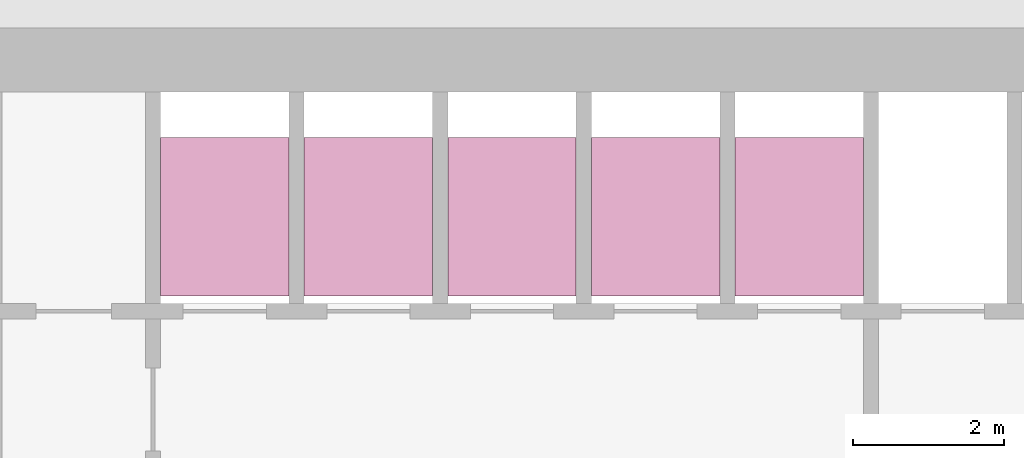
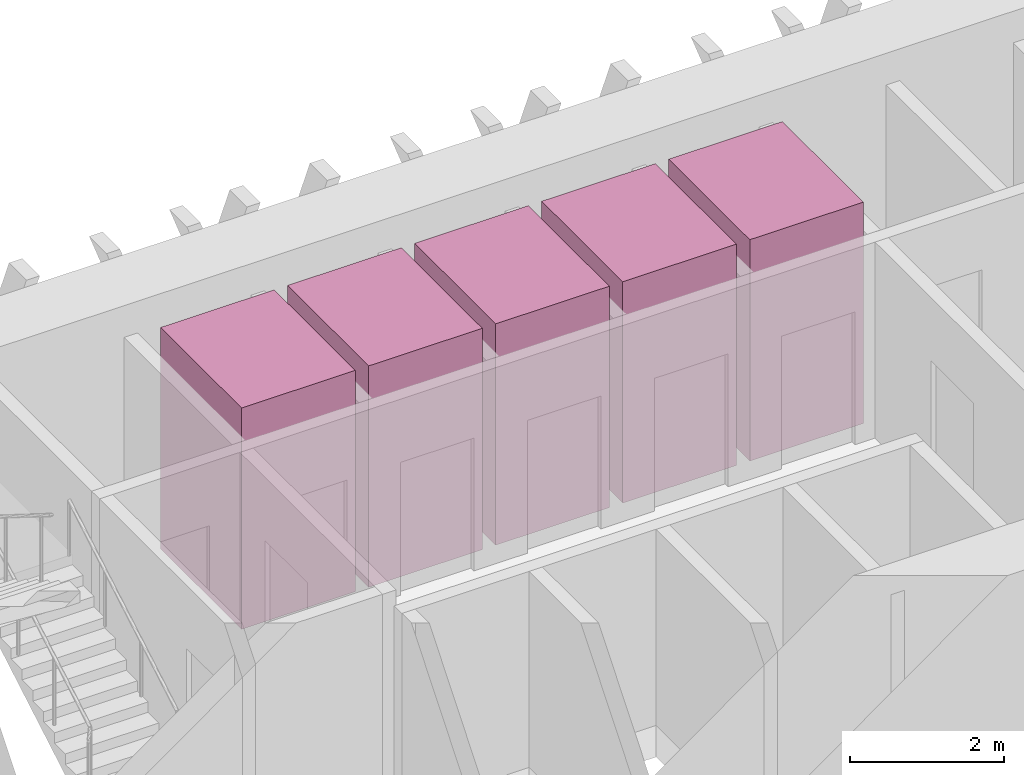
# One storey, part 17 of 17: 5 transport elements.
"""IFC4 building model written with IfcOpenShell, lengths in metres."""

from ifc_helpers import new_model, si_unit, direction, frame, origin, origin_2d, place, context, subcontext, project, spatial, rectangle, extrude, material, type_object, element, save


model = new_model("IFC4")

# Units and contexts
model_context = context("Model", 3, precision=1e-05, world=origin(), true_north=direction((0.0, 1.0)))
body_context = subcontext(model_context, "Body", "Model", "MODEL_VIEW")
ifc_project = project(units=[si_unit("LENGTHUNIT", "METRE"), si_unit("AREAUNIT", "SQUARE_METRE"), si_unit("VOLUMEUNIT", "CUBIC_METRE"), si_unit("PLANEANGLEUNIT", "RADIAN"), si_unit("MASSUNIT", "GRAM", prefix="KILO")], contexts=[model_context])

# Site, building, storey
site_placement = place(None, origin())
site = spatial("IfcSite", under=ifc_project, at=site_placement, CompositionType="ELEMENT")
building_placement = place(site_placement, origin())
building = spatial("IfcBuilding", under=site, at=building_placement, Name="Altiplano Prism Tower", CompositionType="ELEMENT")
storey_placement = place(building_placement, frame((0.0, 0.0, 52.199951171875)))
storey = spatial("IfcBuildingStorey", under=building, at=storey_placement, Name="L12", CompositionType="ELEMENT", Elevation=52.199951171875)

# Transport elements
ifc_material = material(Name="Stainless steel lift car", Category="steel")
transport_element_type = type_object("IfcTransportElementType", Name="Passenger lift car 1600 x 2100", PredefinedType="ELEVATOR", material=ifc_material)
for number, where, z_axis, x_axis, name in (
    (1, (79.050048828125, 101.75, 0.050048828125), (0.0, 0.0, 1.0), (1.0, 0.0, 0.0), "Low Zone Passenger Lift 1"),
    (2, (80.949951171875, 101.75, 0.050048828125), (0.0, 0.0, 1.0), (1.0, 0.0, 0.0), "Low Zone Passenger Lift 2"),
    (3, (82.85009765625, 101.75, 0.050048828125), (0.0, 0.0, 1.0), (1.0, 0.0, 0.0), "Low Zone Passenger Lift 3"),
    (4, (84.75, 101.75, 0.050048828125), (0.0, 0.0, 1.0), (1.0, 0.0, 0.0), "Low Zone Passenger Lift 4"),
    (5, (86.64990234375, 101.75, 0.050048828125), (0.0, 0.0, 1.0), (1.0, 0.0, 0.0), "Low Zone Passenger Lift 5"),
):
    element("IfcTransportElement", number, at=place(storey_placement, frame(where, z_axis=z_axis, x_axis=x_axis)), inside=storey, type_object=transport_element_type, Name=name, PredefinedType="ELEVATOR", context=body_context, shape_type="SweptSolid", body=[
        extrude(rectangle(XDim=1.699951171875, YDim=2.10009765625, at=origin_2d()), origin(), (0.0, 0.0, 1.0), 3.5),
    ])

save(model, "model.ifc")
